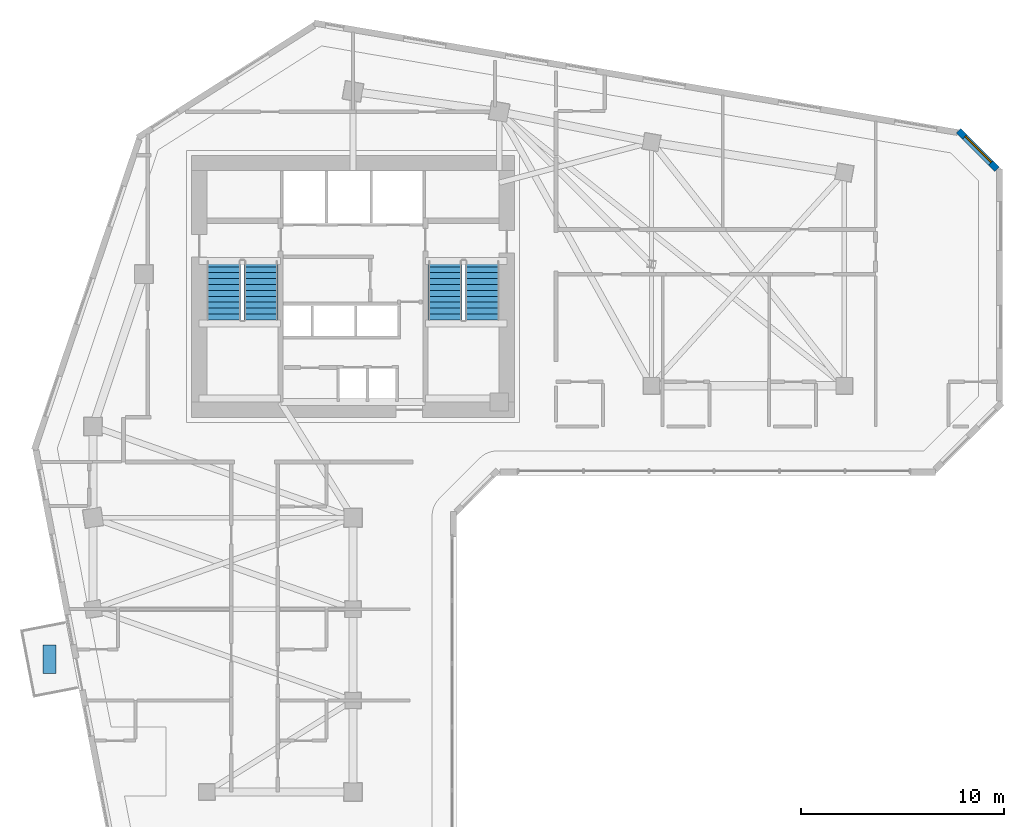
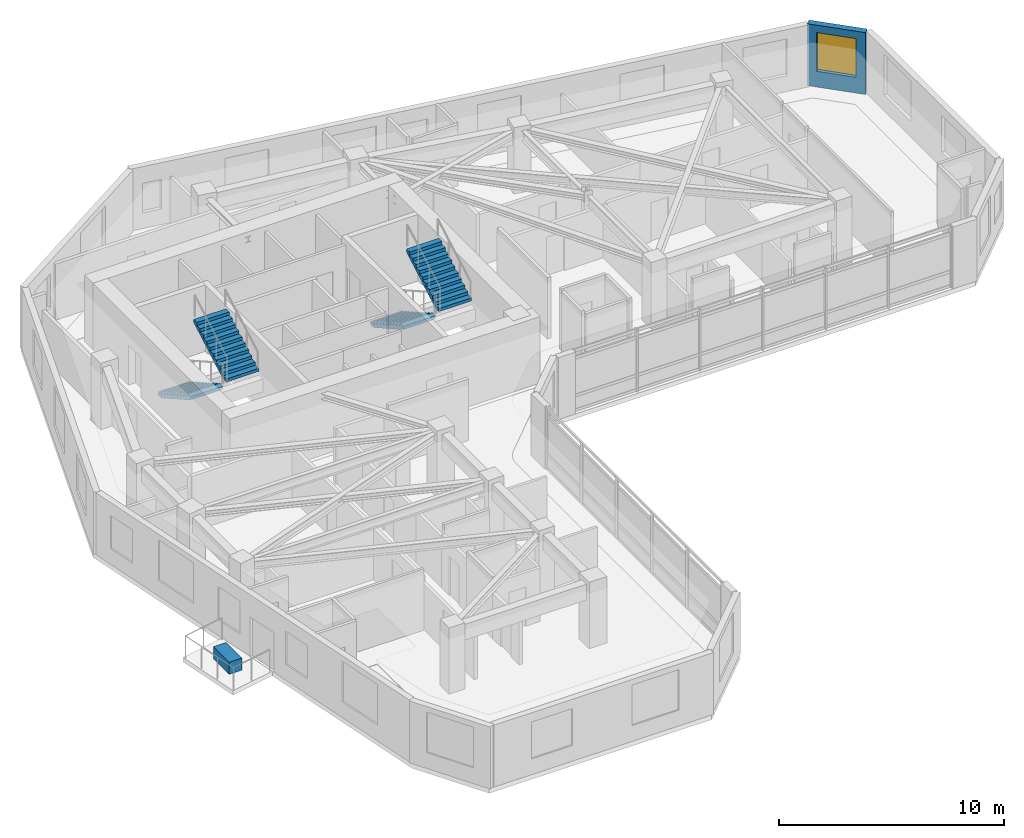
# One storey, part 9 of 12: 4 stair flights, 1 discrete accessory, 1 wall, 1 window, 1 opening, 2 elements without a shape of their own.
"""IFC4 building model written with IfcOpenShell, lengths in metres."""

import ifcopenshell
import ifcopenshell.guid

model = None  # the IFC model being written
_history = None  # IfcOwnerHistory: only IFC2X3 demands one
_inside = {}  # id of a spatial element -> (the spatial element, [elements in it])
_under = {}  # id of a project, library or spatial element -> (it, [spatial elements below it])
_declared = {}  # id of a project -> (the project, [libraries it declares])
_typed = {}  # id of a type object -> (the type object, [elements of that type])
_made_of = {}  # id of a material, layer set ... -> (it, [elements and type objects made of it])


def new_model(schema):
    """Start an empty IFC model of exactly this schema.

    Asked for "IFC4X3", IfcOpenShell would pick the latest addendum, in which some entities
    have other attributes; the version numbers below select the first issue.
    IFC2X3 requires an IfcOwnerHistory on every rooted entity: one is made here for all.
    """
    global model, _history
    if schema == "IFC4X3":
        model = ifcopenshell.file(schema_version=(4, 3, 0, 0))
    else:
        model = ifcopenshell.file(schema=schema)
    _inside.clear()
    _under.clear()
    _declared.clear()
    _typed.clear()
    _made_of.clear()
    _history = None
    if model.schema == "IFC2X3":
        org = make("IfcOrganization", Name="unknown")
        user = make(
            "IfcPersonAndOrganization",
            ThePerson=make("IfcPerson", FamilyName="unknown"),
            TheOrganization=org,
        )
        app = make(
            "IfcApplication",
            ApplicationDeveloper=org,
            Version="unknown",
            ApplicationFullName="unknown",
            ApplicationIdentifier="unknown",
        )
        _history = make(
            "IfcOwnerHistory",
            OwningUser=user,
            OwningApplication=app,
            ChangeAction="ADDED",
            CreationDate=0,
        )
    return model


def make(cls, **values):
    """One entity of the class cls with the attributes given. An attribute that is None is left unset."""
    return model.create_entity(
        cls, **{name: value for name, value in values.items() if value is not None}
    )


def rooted(cls, **values):
    """An entity with a GlobalId (a new one), such as an element, a storey or a relation."""
    return make(cls, GlobalId=ifcopenshell.guid.new(), OwnerHistory=_history, **values)


def si_unit(unit_type, name, prefix=None):
    """IfcSIUnit, for example si_unit("LENGTHUNIT", "METRE", prefix="MILLI")."""
    return make("IfcSIUnit", UnitType=unit_type, Prefix=prefix, Name=name)


def assignment(units):
    """IfcUnitAssignment: the units of a project."""
    return None if units is None else make("IfcUnitAssignment", Units=units)


def point(xyz):
    """IfcCartesianPoint."""
    return None if xyz is None else make("IfcCartesianPoint", Coordinates=xyz)


def direction(xyz):
    """IfcDirection."""
    return None if xyz is None else make("IfcDirection", DirectionRatios=xyz)


def frame(location, z_axis=None, x_axis=None):
    """IfcAxis2Placement3D, a coordinate frame: its origin and axes. An axis left out is left unset."""
    return make(
        "IfcAxis2Placement3D",
        Location=point(location),
        Axis=direction(z_axis),
        RefDirection=direction(x_axis),
    )


def frame_2d(location, x_axis=None):
    """IfcAxis2Placement2D, a coordinate frame in the plane: its origin and x axis."""
    return make(
        "IfcAxis2Placement2D", Location=point(location), RefDirection=direction(x_axis)
    )


def origin():
    """The frame at (0, 0, 0) with its axes left unset."""
    return frame((0.0, 0.0, 0.0))


def origin_2d():
    """The frame at (0, 0) in the plane with its x axis left unset."""
    return frame_2d((0.0, 0.0))


def place(relative_to, where):
    """IfcLocalPlacement: puts the frame where relative to a parent placement (None: the world)."""
    return make(
        "IfcLocalPlacement", PlacementRelTo=relative_to, RelativePlacement=where
    )


def context(
    kind, dimensions, precision=None, world=None, true_north=None, identifier=None
):
    """IfcGeometricRepresentationContext, for example the 3D "Model" context."""
    return make(
        "IfcGeometricRepresentationContext",
        ContextIdentifier=identifier,
        ContextType=kind,
        CoordinateSpaceDimension=dimensions,
        Precision=precision,
        WorldCoordinateSystem=world,
        TrueNorth=true_north,
    )


def subcontext(parent, identifier, kind, view, scale=None):
    """IfcGeometricRepresentationSubContext, for example "Body" below "Model"."""
    return make(
        "IfcGeometricRepresentationSubContext",
        ContextIdentifier=identifier,
        ContextType=kind,
        ParentContext=parent,
        TargetScale=scale,
        TargetView=view,
    )


def project(units=None, contexts=None):
    """IfcProject with its units and contexts."""
    return rooted(
        "IfcProject",
        Name="project",
        RepresentationContexts=contexts,
        UnitsInContext=assignment(units),
    )


def spatial(cls, under=None, at=None, **own):
    """A site, building, storey or space (cls), placed at a placement, below another one or the project."""
    s = rooted(cls, ObjectPlacement=at, **own)
    if under is not None:
        _under.setdefault(under.id(), (under, []))[1].append(s)
    return s


def polyline(points):
    """IfcPolyline through the points."""
    return make("IfcPolyline", Points=[point(p) for p in points])


def profile(cls, at=None, kind="AREA", **sizes):
    """A parametric profile (cls). Its sizes go by their IFC names, for example OverallWidth=200.0."""
    return make(cls, ProfileType=kind, Position=at, **sizes)


def rectangle(**sizes):
    """IfcRectangleProfileDef."""
    return profile("IfcRectangleProfileDef", **sizes)


def outline(outer, holes=None, kind="AREA"):
    """IfcArbitraryClosedProfileDef: a profile drawn as a closed curve; with holes, ...WithVoids."""
    if holes is None:
        return make("IfcArbitraryClosedProfileDef", ProfileType=kind, OuterCurve=outer)
    return make(
        "IfcArbitraryProfileDefWithVoids",
        ProfileType=kind,
        OuterCurve=outer,
        InnerCurves=holes,
    )


def extrude(swept, where, along, depth):
    """IfcExtrudedAreaSolid: the profile swept, set in the frame where, extruded along a direction by depth."""
    return make(
        "IfcExtrudedAreaSolid",
        SweptArea=swept,
        Position=where,
        ExtrudedDirection=direction(along),
        Depth=depth,
    )


def shape(context_of_items, identifier, shape_type, items):
    """IfcShapeRepresentation: the items that make up one representation, for example the "Body"."""
    return make(
        "IfcShapeRepresentation",
        ContextOfItems=context_of_items,
        RepresentationIdentifier=identifier,
        RepresentationType=shape_type,
        Items=items,
    )


def source(mapping_origin, context_of_items, identifier, shape_type, items):
    """IfcRepresentationMap: a shape defined once, which mapped items show again and again."""
    return make(
        "IfcRepresentationMap",
        MappingOrigin=mapping_origin,
        MappedRepresentation=shape(context_of_items, identifier, shape_type, items),
    )


def transform(
    local_origin,
    x_axis=None,
    y_axis=None,
    z_axis=None,
    scale=None,
    scale2=None,
    scale3=None,
    uniform=True,
):
    """IfcCartesianTransformationOperator3D, or its non-uniform kind. x_axis, y_axis, z_axis: its Axis1, 2, 3."""
    if uniform:
        return make(
            "IfcCartesianTransformationOperator3D",
            Axis1=direction(x_axis),
            Axis2=direction(y_axis),
            LocalOrigin=point(local_origin),
            Scale=scale,
            Axis3=direction(z_axis),
        )
    return make(
        "IfcCartesianTransformationOperator3DnonUniform",
        Axis1=direction(x_axis),
        Axis2=direction(y_axis),
        LocalOrigin=point(local_origin),
        Scale=scale,
        Axis3=direction(z_axis),
        Scale2=scale2,
        Scale3=scale3,
    )


def mapped(mapping_source, mapping_target):
    """IfcMappedItem: shows the shape of a source again, moved by a transform."""
    return make(
        "IfcMappedItem", MappingSource=mapping_source, MappingTarget=mapping_target
    )


def material(Name=None, Category=None):
    """IfcMaterial."""
    return make("IfcMaterial", Name=Name, Category=Category)


def layer(
    of_material, thickness, ventilated=None, Name=None, Category=None, Priority=None
):
    """IfcMaterialLayer: one layer of a wall or slab, of a material (None: an air gap)."""
    return make(
        "IfcMaterialLayer",
        Material=of_material,
        LayerThickness=thickness,
        IsVentilated=ventilated,
        Name=Name,
        Category=Category,
        Priority=Priority,
    )


def layer_set(layers, Name=None):
    """IfcMaterialLayerSet."""
    return make("IfcMaterialLayerSet", MaterialLayers=layers, LayerSetName=Name)


def made_of(thing, what):
    """Note that an element or type object is made of a material, layer set ...; save() writes the relation."""
    if what is not None:
        _made_of.setdefault(what.id(), (what, []))[1].append(thing)
    return thing


def type_object(cls, material=None, **own):
    """A type object (cls), such as IfcWallType, which elements share."""
    return made_of(rooted(cls, **own), material)


def element(
    cls,
    number,
    at=None,
    inside=None,
    cuts=None,
    type_object=None,
    material=None,
    context=None,
    identifier="Body",
    shape_type=None,
    held_by="IfcProductDefinitionShape",
    body=None,
    shapes=None,
    **own,
):
    """One element of the class cls, such as IfcWall. Its Tag is "e" and its number.

    at: its placement. inside: the storey or other place that contains it. cuts: it is an
    opening in that element (IfcRelVoidsElement). A single representation is given by context,
    identifier, shape_type and body (its items); several are given by shapes. held_by: the class
    of the entity that holds the representations. save() writes the other relations.
    """
    e = rooted(cls, Tag="e%d" % number, ObjectPlacement=at, **own)
    if body is not None:
        shapes = [shape(context, identifier, shape_type, body)]
    if shapes is not None:
        e.Representation = make(held_by, Representations=shapes)
    if inside is not None:
        _inside.setdefault(inside.id(), (inside, []))[1].append(e)
    if cuts is not None:
        rooted(
            "IfcRelVoidsElement", RelatingBuildingElement=cuts, RelatedOpeningElement=e
        )
    if type_object is not None:
        _typed.setdefault(type_object.id(), (type_object, []))[1].append(e)
    return made_of(e, material)


def fill(opening, filler):
    """IfcRelFillsElement: the door or window that sits in an opening."""
    return rooted(
        "IfcRelFillsElement",
        RelatingOpeningElement=opening,
        RelatedBuildingElement=filler,
    )


def aggregate(whole, parts):
    """IfcRelAggregates: a whole, such as a stair, and the parts it consists of."""
    return rooted("IfcRelAggregates", RelatingObject=whole, RelatedObjects=parts)


def save(model, path):
    """Write the relations noted so far, then the file.

    IfcRelAggregates (storeys below a building ...), IfcRelContainedInSpatialStructure (elements
    in a storey), IfcRelDefinesByType, IfcRelAssociatesMaterial and IfcRelDeclares: one each for
    every whole, place, type object, material and project.
    """
    for whole, parts in _under.values():
        aggregate(whole, parts)
    for where, things in _inside.values():
        rooted(
            "IfcRelContainedInSpatialStructure",
            RelatedElements=things,
            RelatingStructure=where,
        )
    for kind, things in _typed.values():
        rooted("IfcRelDefinesByType", RelatedObjects=things, RelatingType=kind)
    for what, things in _made_of.values():
        rooted("IfcRelAssociatesMaterial", RelatedObjects=things, RelatingMaterial=what)
    for by, libraries in _declared.values():
        rooted("IfcRelDeclares", RelatingContext=by, RelatedDefinitions=libraries)
    model.write(path)


model = new_model("IFC4")

# Units and contexts
model_context = context("Model", 3, precision=1e-05, world=origin(), true_north=direction((0.0, 1.0)))
body_context = subcontext(model_context, "Body", "Model", "MODEL_VIEW")
ifc_project = project(units=[si_unit("LENGTHUNIT", "METRE"), si_unit("AREAUNIT", "SQUARE_METRE"), si_unit("VOLUMEUNIT", "CUBIC_METRE"), si_unit("PLANEANGLEUNIT", "RADIAN"), si_unit("MASSUNIT", "GRAM", prefix="KILO")], contexts=[model_context])

# Site, building, storey
site_placement = place(None, origin())
site = spatial("IfcSite", under=ifc_project, at=site_placement, CompositionType="ELEMENT")
building_placement = place(site_placement, origin())
building = spatial("IfcBuilding", under=site, at=building_placement, Name="Calvemar Wedge Station Tower", CompositionType="ELEMENT")
storey_placement = place(building_placement, frame((0.0, 0.0, 121.39990234375)))
storey = spatial("IfcBuildingStorey", under=building, at=storey_placement, Name="L29", CompositionType="ELEMENT", Elevation=121.39990234375)

# Wall, opening, window
ifc_material_1 = material(Name="Precast concrete C45", Category="concrete")
ifc_layer = layer(ifc_material_1, 0.300048828125)
ifc_layer_set = layer_set([ifc_layer], Name="Precast concrete C45")
wall_type = type_object("IfcWallType", Name="W-EXT-GFRC-300", PredefinedType="SOLIDWALL", material=ifc_layer_set)
wall_placement = place(storey_placement, frame((55.511962890625, 45.66796875, 0.0), z_axis=(0.0, 0.0, 1.0), x_axis=(-0.707152443695, 0.707061115729, 0.0)))
wall = element("IfcWall", 1, at=wall_placement, inside=storey, type_object=wall_type, Name="Storey L29 Bronze GFRC Exterior Wall 9", PredefinedType="SOLIDWALL", context=body_context, shape_type="SweptSolid", body=[
    extrude(rectangle(XDim=2.67333984375, YDim=0.300048828125, at=frame_2d((1.336669921875, 0.0))), origin(), (0.0, 0.0, 1.0), 3.35009765625),
])
shared_shape_1 = source(origin(), body_context, "Body", "SweptSolid", [
    extrude(rectangle(XDim=1.800048828125, YDim=2.10009765625, at=frame_2d((0.89990234375, 1.050048828125))), frame((0.0, 0.16015625, 0.0), z_axis=(0.0, -1.0, 0.0), x_axis=(1.0, 0.0, 0.0)), (0.0, 0.0, 1.0), 0.320068359375),
])
opening_placement = place(wall_placement, frame((0.43701171875, 0.0, 0.85009765625)))
opening = element("IfcOpeningElement", 2, at=opening_placement, cuts=wall, Name="Opening W2", PredefinedType="OPENING", context=body_context, shape_type="MappedRepresentation", body=[
    mapped(shared_shape_1, transform((0.0, 0.0, 0.0), scale=1.0)),
])
ifc_material_2 = material(Name="Low-E laminated insulated glass", Category="glass")
window_type = type_object("IfcWindowType", Name="WIN-EXT-2", PartitioningType="SINGLE_PANEL", PredefinedType="WINDOW", material=ifc_material_2)
shared_shape_2 = source(origin(), body_context, "Body", "SweptSolid", [
    extrude(rectangle(XDim=1.800048828125, YDim=2.10009765625, at=frame_2d((0.89990234375, 1.050048828125))), frame((0.0, -0.014892578125, 0.0), z_axis=(0.0, -1.0, 0.0), x_axis=(1.0, 0.0, 0.0)), (0.0, 0.0, 1.0), 0.06005859375),
])
window_placement = place(opening_placement, origin())
window = element("IfcWindow", 3, at=window_placement, inside=storey, type_object=window_type, Name="Storey L29 Recessed Window 9.1", OverallHeight=2.10009765625, OverallWidth=1.800048828125, PartitioningType="SINGLE_PANEL", PredefinedType="WINDOW", context=body_context, shape_type="MappedRepresentation", body=[
    mapped(shared_shape_2, transform((0.0, 0.0, 0.0), scale=1.0)),
])
fill(opening, window)

# Stair, stair flights
ifc_material_3 = material(Name="Concrete C45", Category="concrete")
stair_type = type_object("IfcStairType", Name="ST-TYPE-3600", PredefinedType="HALF_TURN_STAIR", material=ifc_material_3)
stair_1_placement = place(storey_placement, origin())
stair_1 = element("IfcStair", 4, at=stair_1_placement, inside=storey, type_object=stair_type, Name="L29 Pressurized Core Exit Stair ST-C1", PredefinedType="HALF_TURN_STAIR")
stair_flight_type = type_object("IfcStairFlightType", Name="STF-TYPE-3600", PredefinedType="STRAIGHT", material=ifc_material_3)
stair_flight_1_placement = place(storey_placement, frame((17.429931640625, 41.14990234375, 0.0), z_axis=(0.0, 0.0, 1.0), x_axis=(0.0, -1.0, 0.0)))
stair_flight_1 = element("IfcStairFlight", 5, at=stair_flight_1_placement, type_object=stair_flight_type, Name="ST-C1 flight 1", NumberOfRisers=11, NumberOfTreads=10, PredefinedType="STRAIGHT", RiserHeight=0.163636364, TreadLength=0.29, context=body_context, shape_type="SweptSolid", body=[
    extrude(outline(polyline([(0.0, 0.0), (0.0, 0.16357421875), (0.2900390625, 0.16357421875), (0.2900390625, 0.327392578125), (0.580078125, 0.327392578125), (0.580078125, 0.490966796875), (0.8701171875, 0.490966796875), (0.8701171875, 0.654541015625), (1.159912109375, 0.654541015625), (1.159912109375, 0.818115234375), (1.449951171875, 0.818115234375), (1.449951171875, 0.98193359375), (1.739990234375, 0.98193359375), (1.739990234375, 1.1455078125), (2.030029296875, 1.1455078125), (2.030029296875, 1.30908203125), (2.320068359375, 1.30908203125), (2.320068359375, 1.47265625), (2.610107421875, 1.47265625), (2.610107421875, 1.636474609375), (2.89990234375, 1.636474609375), (2.89990234375, 1.800048828125), (2.89990234375, 1.46435546875), (0.304931640625, 0.0), (0.0, 0.0)])), frame((0.0, 0.830078125, 0.0), z_axis=(0.0, -1.0, 0.0), x_axis=(1.0, 0.0, 0.0)), (0.0, 0.0, 1.0), 1.659912109375),
])
stair_flight_2_placement = place(storey_placement, frame((19.27001953125, 38.25, 1.800048828125), z_axis=(0.0, 0.0, 1.0), x_axis=(0.0, 1.0, 0.0)))
stair_flight_2 = element("IfcStairFlight", 6, at=stair_flight_2_placement, type_object=stair_flight_type, Name="ST-C1 flight 2", NumberOfRisers=11, NumberOfTreads=10, PredefinedType="STRAIGHT", RiserHeight=0.163636364, TreadLength=0.29, context=body_context, shape_type="SweptSolid", body=[
    extrude(outline(polyline([(0.0, 0.0), (0.0, 0.16357421875), (0.2900390625, 0.16357421875), (0.2900390625, 0.327392578125), (0.580078125, 0.327392578125), (0.580078125, 0.490966796875), (0.8701171875, 0.490966796875), (0.8701171875, 0.654541015625), (1.159912109375, 0.654541015625), (1.159912109375, 0.818115234375), (1.449951171875, 0.818115234375), (1.449951171875, 0.98193359375), (1.739990234375, 0.98193359375), (1.739990234375, 1.1455078125), (2.030029296875, 1.1455078125), (2.030029296875, 1.30908203125), (2.320068359375, 1.30908203125), (2.320068359375, 1.47265625), (2.610107421875, 1.47265625), (2.610107421875, 1.636474609375), (2.89990234375, 1.636474609375), (2.89990234375, 1.800048828125), (2.89990234375, 1.46435546875), (0.304931640625, 0.0), (0.0, 0.0)])), frame((0.0, 0.830078125, 0.0), z_axis=(0.0, -1.0, 0.0), x_axis=(1.0, 0.0, 0.0)), (0.0, 0.0, 1.0), 1.659912109375),
])
aggregate(stair_1, [stair_flight_1, stair_flight_2])

stair_2_placement = place(storey_placement, origin())
stair_2 = element("IfcStair", 7, at=stair_2_placement, inside=storey, type_object=stair_type, Name="L29 Pressurized Core Exit Stair ST-C2", PredefinedType="HALF_TURN_STAIR")
stair_flight_3_placement = place(storey_placement, frame((28.330078125, 41.14990234375, 0.0), z_axis=(0.0, 0.0, 1.0), x_axis=(0.0, -1.0, 0.0)))
stair_flight_3 = element("IfcStairFlight", 8, at=stair_flight_3_placement, type_object=stair_flight_type, Name="ST-C2 flight 1", NumberOfRisers=11, NumberOfTreads=10, PredefinedType="STRAIGHT", RiserHeight=0.163636364, TreadLength=0.29, context=body_context, shape_type="SweptSolid", body=[
    extrude(outline(polyline([(0.0, 0.0), (0.0, 0.16357421875), (0.2900390625, 0.16357421875), (0.2900390625, 0.327392578125), (0.580078125, 0.327392578125), (0.580078125, 0.490966796875), (0.8701171875, 0.490966796875), (0.8701171875, 0.654541015625), (1.159912109375, 0.654541015625), (1.159912109375, 0.818115234375), (1.449951171875, 0.818115234375), (1.449951171875, 0.98193359375), (1.739990234375, 0.98193359375), (1.739990234375, 1.1455078125), (2.030029296875, 1.1455078125), (2.030029296875, 1.30908203125), (2.320068359375, 1.30908203125), (2.320068359375, 1.47265625), (2.610107421875, 1.47265625), (2.610107421875, 1.636474609375), (2.89990234375, 1.636474609375), (2.89990234375, 1.800048828125), (2.89990234375, 1.46435546875), (0.304931640625, 0.0), (0.0, 0.0)])), frame((0.0, 0.830078125, 0.0), z_axis=(0.0, -1.0, 0.0), x_axis=(1.0, 0.0, 0.0)), (0.0, 0.0, 1.0), 1.659912109375),
])
stair_flight_4_placement = place(storey_placement, frame((30.169921875, 38.25, 1.800048828125), z_axis=(0.0, 0.0, 1.0), x_axis=(0.0, 1.0, 0.0)))
stair_flight_4 = element("IfcStairFlight", 9, at=stair_flight_4_placement, type_object=stair_flight_type, Name="ST-C2 flight 2", NumberOfRisers=11, NumberOfTreads=10, PredefinedType="STRAIGHT", RiserHeight=0.163636364, TreadLength=0.29, context=body_context, shape_type="SweptSolid", body=[
    extrude(outline(polyline([(0.0, 0.0), (0.0, 0.16357421875), (0.2900390625, 0.16357421875), (0.2900390625, 0.327392578125), (0.580078125, 0.327392578125), (0.580078125, 0.490966796875), (0.8701171875, 0.490966796875), (0.8701171875, 0.654541015625), (1.159912109375, 0.654541015625), (1.159912109375, 0.818115234375), (1.449951171875, 0.818115234375), (1.449951171875, 0.98193359375), (1.739990234375, 0.98193359375), (1.739990234375, 1.1455078125), (2.030029296875, 1.1455078125), (2.030029296875, 1.30908203125), (2.320068359375, 1.30908203125), (2.320068359375, 1.47265625), (2.610107421875, 1.47265625), (2.610107421875, 1.636474609375), (2.89990234375, 1.636474609375), (2.89990234375, 1.800048828125), (2.89990234375, 1.46435546875), (0.304931640625, 0.0), (0.0, 0.0)])), frame((0.0, 0.830078125, 0.0), z_axis=(0.0, -1.0, 0.0), x_axis=(1.0, 0.0, 0.0)), (0.0, 0.0, 1.0), 1.659912109375),
])
aggregate(stair_2, [stair_flight_3, stair_flight_4])

# Discrete accessory
discrete_accessory_type = type_object("IfcDiscreteAccessoryType", Name="ACC-PLANTER", PredefinedType="USERDEFINED", material=ifc_material_1)
shared_shape_3 = source(origin(), body_context, "Body", "SweptSolid", [
    extrude(rectangle(XDim=0.64990234375, YDim=1.39990234375, at=origin_2d()), origin(), (0.0, 0.0, 1.0), 0.64990234375),
])
discrete_accessory_placement = place(storey_placement, frame((8.85205078125, 21.531982421875, 0.000244140625), z_axis=(0.0, 0.0, 1.0), x_axis=(1.0, 0.0, 0.0)))
element("IfcDiscreteAccessory", 10, at=discrete_accessory_placement, inside=storey, type_object=discrete_accessory_type, Name="Storey L29 Planted Terrace GFRC Planter", ObjectType="PLANTER", PredefinedType="USERDEFINED", context=body_context, shape_type="MappedRepresentation", body=[
    mapped(shared_shape_3, transform((0.0, 0.0, 0.0), scale=1.0)),
])

save(model, "model.ifc")
